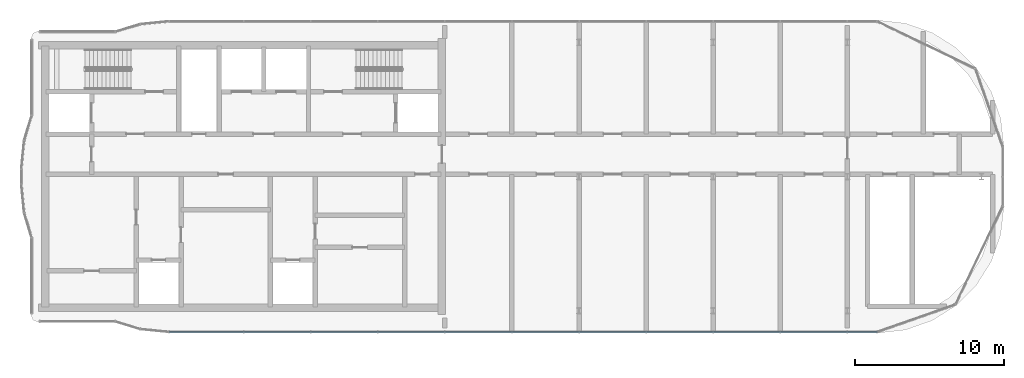
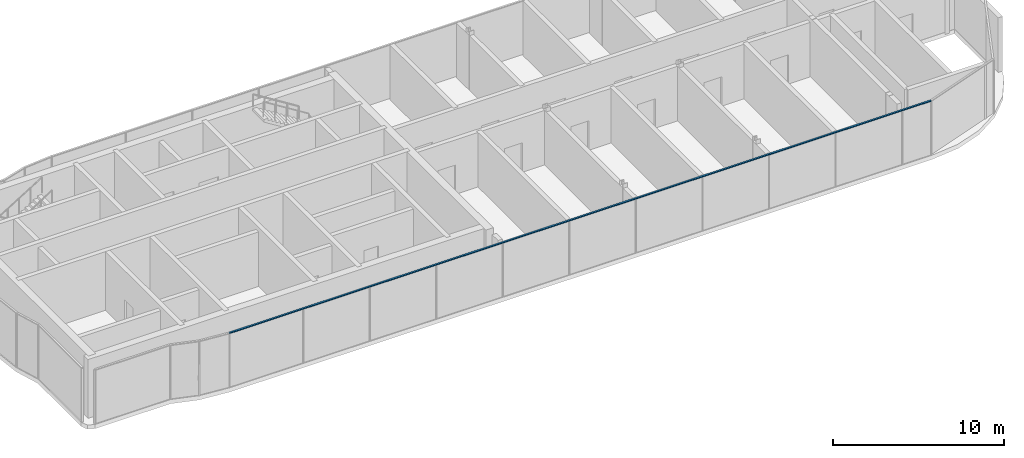
# One storey, part 5 of 14: 1 member, 1 element without a shape of its own.
"""IFC4 building model written with IfcOpenShell, lengths in metres."""

from ifc_helpers import new_model, si_unit, direction, frame, origin, origin_2d, place, context, subcontext, project, spatial, rectangle, extrude, material, material_profile, profile_set, type_object, element, aggregate, save


model = new_model("IFC4")

# Units and contexts
model_context = context("Model", 3, precision=1e-05, world=origin(), true_north=direction((0.0, 1.0)))
body_context = subcontext(model_context, "Body", "Model", "MODEL_VIEW")
ifc_project = project(units=[si_unit("LENGTHUNIT", "METRE"), si_unit("AREAUNIT", "SQUARE_METRE"), si_unit("VOLUMEUNIT", "CUBIC_METRE"), si_unit("PLANEANGLEUNIT", "RADIAN"), si_unit("MASSUNIT", "GRAM", prefix="KILO")], contexts=[model_context])

# Site, building, storey
site_placement = place(None, origin())
site = spatial("IfcSite", under=ifc_project, at=site_placement, CompositionType="ELEMENT")
building_placement = place(site_placement, origin())
building = spatial("IfcBuilding", under=site, at=building_placement, Name="Ogive Portal Towers", CompositionType="ELEMENT")
storey_placement = place(building_placement, frame((0.0, 0.0, 277.10009765625)))
storey = spatial("IfcBuildingStorey", under=building, at=storey_placement, Name="L67", CompositionType="ELEMENT", Elevation=277.10009765625)

# Curtain wall, member
ifc_material_1 = material(Name="Glass, clear low-iron insulated glazing", Category="glass")
curtain_wall_type = type_object("IfcCurtainWallType", Name="CW CROWN GLAZING", PredefinedType="NOTDEFINED", material=ifc_material_1)
curtain_wall_placement = place(storey_placement, origin())
curtain_wall = element("IfcCurtainWall", 1, at=curtain_wall_placement, inside=storey, type_object=curtain_wall_type, Name="A:L67:c06:cw", PredefinedType="NOTDEFINED")
ifc_material_2 = material(Name="Aluminium 6063 anodised", Category="aluminium")
ifc_material_profile = material_profile(ifc_material_2, rectangle(XDim=0.1201171875, YDim=0.06005859375, at=origin_2d()), Name="AL 120x60")
ifc_profile_set = profile_set([ifc_material_profile], Name="Aluminium 6063 anodised")
member_type = type_object("IfcMemberType", Name="CW TRANSOM 60x120", PredefinedType="USERDEFINED", material=ifc_profile_set)
member_placement = place(storey_placement, frame((40.00390625, 20.080078125, 3.869873046875), z_axis=(1.0, 0.0, 0.0), x_axis=(0.0, 1.0, 0.0)))
member = element("IfcMember", 2, at=member_placement, type_object=member_type, Name="transom", ObjectType="TRANSOM", PredefinedType="USERDEFINED", context=body_context, shape_type="SweptSolid", body=[
    extrude(rectangle(XDim=0.1201171875, YDim=0.06005859375, at=origin_2d()), origin(), (0.0, 0.0, 1.0), 47.482421875),
])
aggregate(curtain_wall, [member])

save(model, "model.ifc")
